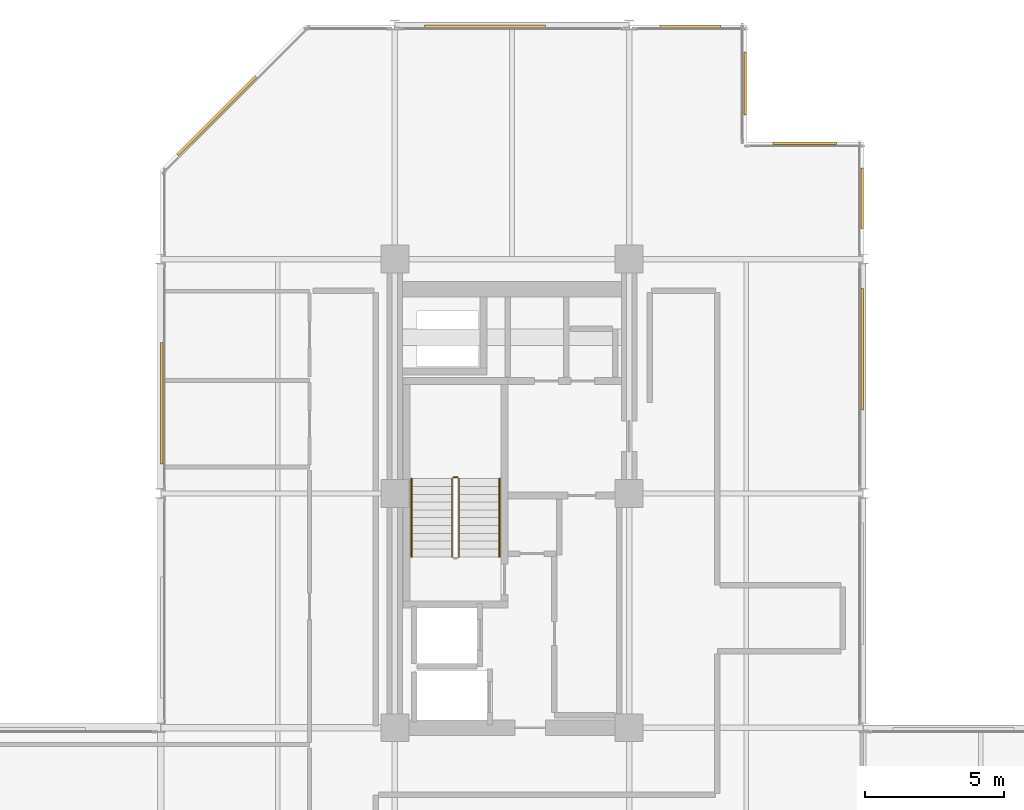
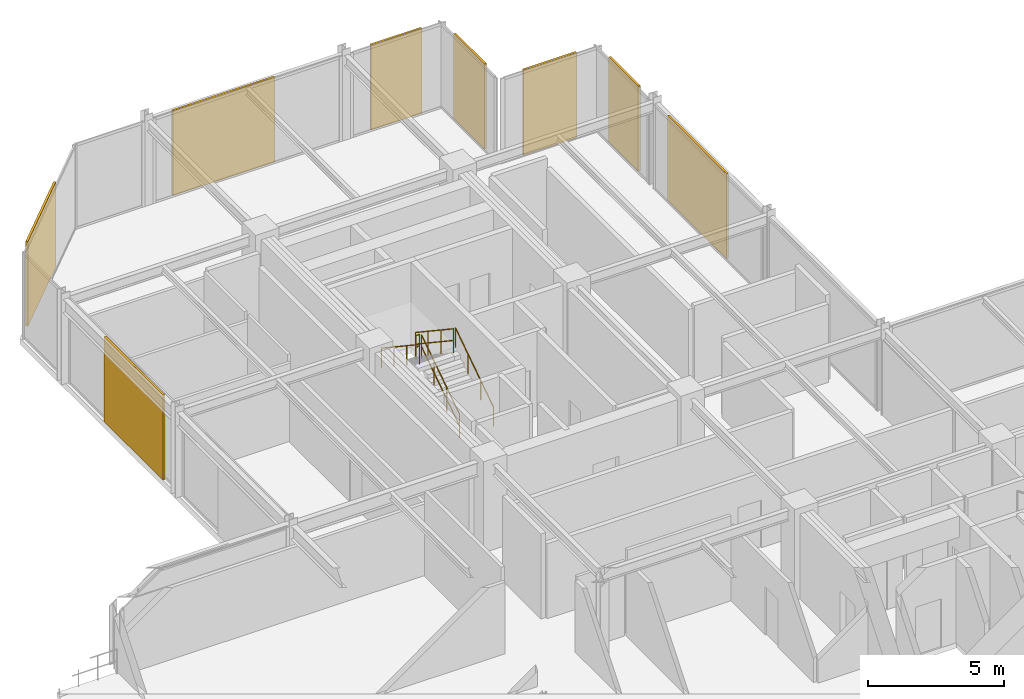
# One storey, part 29 of 29: 8 coverings, 5 railings.
"""IFC4 building model written with IfcOpenShell, lengths in metres."""

from ifc_helpers import new_model, si_unit, direction, frame, origin, origin_2d, place, context, subcontext, project, spatial, rectangle, circle, extrude, material, layer, layer_set, type_object, element, save


model = new_model("IFC4")

# Units and contexts
model_context = context("Model", 3, precision=1e-05, world=origin(), true_north=direction((0.0, 1.0)))
body_context = subcontext(model_context, "Body", "Model", "MODEL_VIEW")
ifc_project = project(units=[si_unit("LENGTHUNIT", "METRE"), si_unit("AREAUNIT", "SQUARE_METRE"), si_unit("VOLUMEUNIT", "CUBIC_METRE"), si_unit("PLANEANGLEUNIT", "RADIAN"), si_unit("MASSUNIT", "GRAM", prefix="KILO")], contexts=[model_context])

# Site, building, storey
site_placement = place(None, origin())
site = spatial("IfcSite", under=ifc_project, at=site_placement, CompositionType="ELEMENT")
building_placement = place(site_placement, origin())
building = spatial("IfcBuilding", under=site, at=building_placement, Name="Nerrivon Quay Data Exchange", CompositionType="ELEMENT")
storey_placement = place(building_placement, frame((0.0, 0.0, 183.699951171875)))
storey = spatial("IfcBuildingStorey", under=building, at=storey_placement, Name="L43", CompositionType="ELEMENT", Elevation=183.699951171875)

# Coverings
ifc_material_1 = material(Name="Architectural terracotta ceramic", Category="masonry")
ifc_layer = layer(ifc_material_1, 0.090087890625)
ifc_layer_set = layer_set([ifc_layer], Name="Architectural terracotta ceramic")
covering_type = type_object("IfcCoveringType", Name="COV-SCR-TERR", PredefinedType="CLADDING", material=ifc_layer_set)
covering_1_placement = place(storey_placement, frame((0.044921875, 36.833984375, 0.0), z_axis=(0.0, 0.0, 1.0), x_axis=(0.0, 1.0, 0.0)))
element("IfcCovering", 1, at=covering_1_placement, inside=storey, type_object=covering_type, Name="L43 Perforated Terracotta SOLAR SCREEN Cassette", PredefinedType="CLADDING", context=body_context, shape_type="SweptSolid", body=[
    extrude(rectangle(XDim=4.346923828125, YDim=0.090087890625, at=origin_2d()), origin(), (0.0, 0.0, 1.0), 3.824951171875),
])
covering_2_placement = place(storey_placement, frame((2.0078125, 47.144287109375, 0.0), z_axis=(0.0, 0.0, 1.0), x_axis=(0.707106781187, 0.707106781187, 0.0)))
element("IfcCovering", 2, at=covering_2_placement, inside=storey, type_object=covering_type, Name="L43 Perforated Terracotta SOLAR SCREEN Cassette", PredefinedType="CLADDING", context=body_context, shape_type="SweptSolid", body=[
    extrude(rectangle(XDim=3.970947265625, YDim=0.090087890625, at=origin_2d()), origin(), (0.0, 0.0, 1.0), 3.824951171875),
])
covering_3_placement = place(storey_placement, frame((11.634033203125, 50.35498046875, 0.0), z_axis=(0.0, 0.0, 1.0), x_axis=(1.0, 0.0, 0.0)))
element("IfcCovering", 3, at=covering_3_placement, inside=storey, type_object=covering_type, Name="L43 Perforated Terracotta SOLAR SCREEN Cassette", PredefinedType="CLADDING", context=body_context, shape_type="SweptSolid", body=[
    extrude(rectangle(XDim=4.346923828125, YDim=0.090087890625, at=origin_2d()), origin(), (0.0, 0.0, 1.0), 3.824951171875),
])
covering_4_placement = place(storey_placement, frame((18.987548828125, 50.35498046875, 0.0), z_axis=(0.0, 0.0, 1.0), x_axis=(1.0, 0.0, 0.0)))
element("IfcCovering", 4, at=covering_4_placement, inside=storey, type_object=covering_type, Name="L43 Perforated Terracotta SOLAR SCREEN Cassette", PredefinedType="CLADDING", context=body_context, shape_type="SweptSolid", body=[
    extrude(rectangle(XDim=2.173095703125, YDim=0.090087890625, at=origin_2d()), origin(), (0.0, 0.0, 1.0), 3.824951171875),
])
for number, where, z_axis, x_axis, name in (
    (5, (20.955078125, 48.300048828125, 0.0), (0.0, 0.0, 1.0), (0.0, -1.0, 0.0), "L43 Perforated Terracotta SOLAR SCREEN Cassette"),
    (6, (23.10009765625, 46.155029296875, 0.0), (0.0, 0.0, 1.0), (1.0, 0.0, 0.0), "L43 Perforated Terracotta SOLAR SCREEN Cassette"),
):
    element("IfcCovering", number, at=place(storey_placement, frame(where, z_axis=z_axis, x_axis=x_axis)), inside=storey, type_object=covering_type, Name=name, PredefinedType="CLADDING", context=body_context, shape_type="SweptSolid", body=[
        extrude(rectangle(XDim=2.26806640625, YDim=0.090087890625, at=origin_2d()), origin(), (0.0, 0.0, 1.0), 3.824951171875),
    ])
covering_5_placement = place(storey_placement, frame((25.155029296875, 44.1875, 0.0), z_axis=(0.0, 0.0, 1.0), x_axis=(0.0, -1.0, 0.0)))
element("IfcCovering", 7, at=covering_5_placement, inside=storey, type_object=covering_type, Name="L43 Perforated Terracotta SOLAR SCREEN Cassette", PredefinedType="CLADDING", context=body_context, shape_type="SweptSolid", body=[
    extrude(rectangle(XDim=2.174072265625, YDim=0.090087890625, at=origin_2d()), origin(), (0.0, 0.0, 1.0), 3.824951171875),
])
covering_6_placement = place(storey_placement, frame((25.155029296875, 38.76611328125, 0.0), z_axis=(0.0, 0.0, 1.0), x_axis=(0.0, -1.0, 0.0)))
element("IfcCovering", 8, at=covering_6_placement, inside=storey, type_object=covering_type, Name="L43 Perforated Terracotta SOLAR SCREEN Cassette", PredefinedType="CLADDING", context=body_context, shape_type="SweptSolid", body=[
    extrude(rectangle(XDim=4.346923828125, YDim=0.090087890625, at=origin_2d()), origin(), (0.0, 0.0, 1.0), 3.824951171875),
])

# Railings
ifc_material_2 = material(Name="Steel Grade C350L0 (350 MPa)", Category="steel")
railing_type_1 = type_object("IfcRailingType", Name="RAIL-HAND-HR1", PredefinedType="HANDRAIL", material=ifc_material_2)
railing_1_placement = place(storey_placement, frame((12.14990234375, 31.330078125, 0.1865234375)))
element("IfcRailing", 9, at=railing_1_placement, inside=storey, type_object=railing_type_1, Name="L43 ST01 stair handrail 1", PredefinedType="HANDRAIL", context=body_context, shape_type="SweptSolid", body=[
    extrude(circle(Radius=0.02392578125, at=origin_2d()), frame((0.0, 0.0, 0.8759765625), z_axis=(0.0, 0.832463268671, 0.554080234545), x_axis=(-1.0, 0.0, 0.0)), (0.0, 0.0, 1.0), 3.36328125),
    extrude(circle(Radius=0.02099609375, at=origin_2d()), origin(), (0.0, 0.0, 1.0), 0.851806640625),
    extrude(circle(Radius=0.02099609375, at=origin_2d()), frame((0.0, 0.933349609375, 0.62109375)), (0.0, 0.0, 1.0), 0.851806640625),
    extrude(circle(Radius=0.02099609375, at=origin_2d()), frame((0.0, 1.866455078125, 1.242431640625)), (0.0, 0.0, 1.0), 0.851806640625),
    extrude(circle(Radius=0.02099609375, at=origin_2d()), frame((0.0, 2.7998046875, 1.863525390625)), (0.0, 0.0, 1.0), 0.851806640625),
])
railing_2_placement = place(storey_placement, frame((9.0, 34.1298828125, 2.236328125)))
element("IfcRailing", 10, at=railing_2_placement, inside=storey, type_object=railing_type_1, Name="L43 ST01 stair handrail 2", PredefinedType="HANDRAIL", context=body_context, shape_type="SweptSolid", body=[
    extrude(circle(Radius=0.02392578125, at=origin_2d()), frame((0.0, 0.0, 0.8759765625), z_axis=(0.0, -0.832429786209, 0.554130536094), x_axis=(1.0, 0.0, 0.0)), (0.0, 0.0, 1.0), 3.363525390625),
    extrude(circle(Radius=0.02099609375, at=origin_2d()), origin(), (0.0, 0.0, 1.0), 0.851806640625),
    extrude(circle(Radius=0.02099609375, at=origin_2d()), frame((0.0, -0.933349609375, 0.621337890625)), (0.0, 0.0, 1.0), 0.851806640625),
    extrude(circle(Radius=0.02099609375, at=origin_2d()), frame((0.0, -1.866455078125, 1.242431640625)), (0.0, 0.0, 1.0), 0.851806640625),
    extrude(circle(Radius=0.02099609375, at=origin_2d()), frame((0.0, -2.7998046875, 1.86376953125)), (0.0, 0.0, 1.0), 0.851806640625),
])
railing_type_2 = type_object("IfcRailingType", Name="RAIL-STAIR-GR1", PredefinedType="BALUSTRADE", material=ifc_material_2)
railing_3_placement = place(storey_placement, frame((10.699951171875, 31.330078125, 0.1865234375)))
element("IfcRailing", 11, at=railing_3_placement, inside=storey, type_object=railing_type_2, Name="L43 ST01 stair guard 1", PredefinedType="BALUSTRADE", context=body_context, shape_type="SweptSolid", body=[
    extrude(circle(Radius=0.02392578125, at=origin_2d()), frame((0.0, 0.0, 1.076171875), z_axis=(0.0, 0.832463268671, 0.554080234545), x_axis=(-1.0, 0.0, 0.0)), (0.0, 0.0, 1.0), 3.36328125),
    extrude(circle(Radius=0.02392578125, at=origin_2d()), frame((0.0, 0.0, 0.550048828125), z_axis=(0.0, 0.832463268671, 0.554080234545), x_axis=(-1.0, 0.0, 0.0)), (0.0, 0.0, 1.0), 3.36328125),
    extrude(circle(Radius=0.02099609375, at=origin_2d()), origin(), (0.0, 0.0, 1.0), 1.052001953125),
    extrude(circle(Radius=0.02099609375, at=origin_2d()), frame((0.0, 0.933349609375, 0.62109375)), (0.0, 0.0, 1.0), 1.052001953125),
    extrude(circle(Radius=0.02099609375, at=origin_2d()), frame((0.0, 1.866455078125, 1.242431640625)), (0.0, 0.0, 1.0), 1.052001953125),
    extrude(circle(Radius=0.02099609375, at=origin_2d()), frame((0.0, 2.7998046875, 1.863525390625)), (0.0, 0.0, 1.0), 1.052001953125),
])
railing_4_placement = place(storey_placement, frame((10.64990234375, 34.179931640625, 2.050048828125)))
element("IfcRailing", 12, at=railing_4_placement, inside=storey, type_object=railing_type_2, Name="L43 ST01 stair guard 2", PredefinedType="BALUSTRADE", context=body_context, shape_type="SweptSolid", body=[
    extrude(circle(Radius=0.02392578125, at=origin_2d()), frame((0.0, 0.0, 1.076171875), z_axis=(-1.0, 0.0, 0.0), x_axis=(0.0, -1.0, 0.0)), (0.0, 0.0, 1.0), 0.14990234375),
    extrude(circle(Radius=0.02392578125, at=origin_2d()), frame((0.0, 0.0, 0.550048828125), z_axis=(-1.0, 0.0, 0.0), x_axis=(0.0, -1.0, 0.0)), (0.0, 0.0, 1.0), 0.14990234375),
    extrude(circle(Radius=0.02099609375, at=origin_2d()), origin(), (0.0, 0.0, 1.0), 1.052001953125),
    extrude(circle(Radius=0.02099609375, at=origin_2d()), frame((-0.14990234375, 0.0, 0.0)), (0.0, 0.0, 1.0), 1.052001953125),
])
railing_5_placement = place(storey_placement, frame((10.449951171875, 34.1298828125, 2.236328125)))
element("IfcRailing", 13, at=railing_5_placement, inside=storey, type_object=railing_type_2, Name="L43 ST01 stair guard 3", PredefinedType="BALUSTRADE", context=body_context, shape_type="SweptSolid", body=[
    extrude(circle(Radius=0.02392578125, at=origin_2d()), frame((0.0, 0.0, 1.076171875), z_axis=(0.0, -0.832429786209, 0.554130536094), x_axis=(1.0, 0.0, 0.0)), (0.0, 0.0, 1.0), 3.363525390625),
    extrude(circle(Radius=0.02392578125, at=origin_2d()), frame((0.0, 0.0, 0.550048828125), z_axis=(0.0, -0.832429786209, 0.554130536094), x_axis=(1.0, 0.0, 0.0)), (0.0, 0.0, 1.0), 3.363525390625),
    extrude(circle(Radius=0.02099609375, at=origin_2d()), origin(), (0.0, 0.0, 1.0), 1.052001953125),
    extrude(circle(Radius=0.02099609375, at=origin_2d()), frame((0.0, -0.933349609375, 0.621337890625)), (0.0, 0.0, 1.0), 1.052001953125),
    extrude(circle(Radius=0.02099609375, at=origin_2d()), frame((0.0, -1.866455078125, 1.242431640625)), (0.0, 0.0, 1.0), 1.052001953125),
    extrude(circle(Radius=0.02099609375, at=origin_2d()), frame((0.0, -2.7998046875, 1.86376953125)), (0.0, 0.0, 1.0), 1.052001953125),
])

save(model, "model.ifc")
